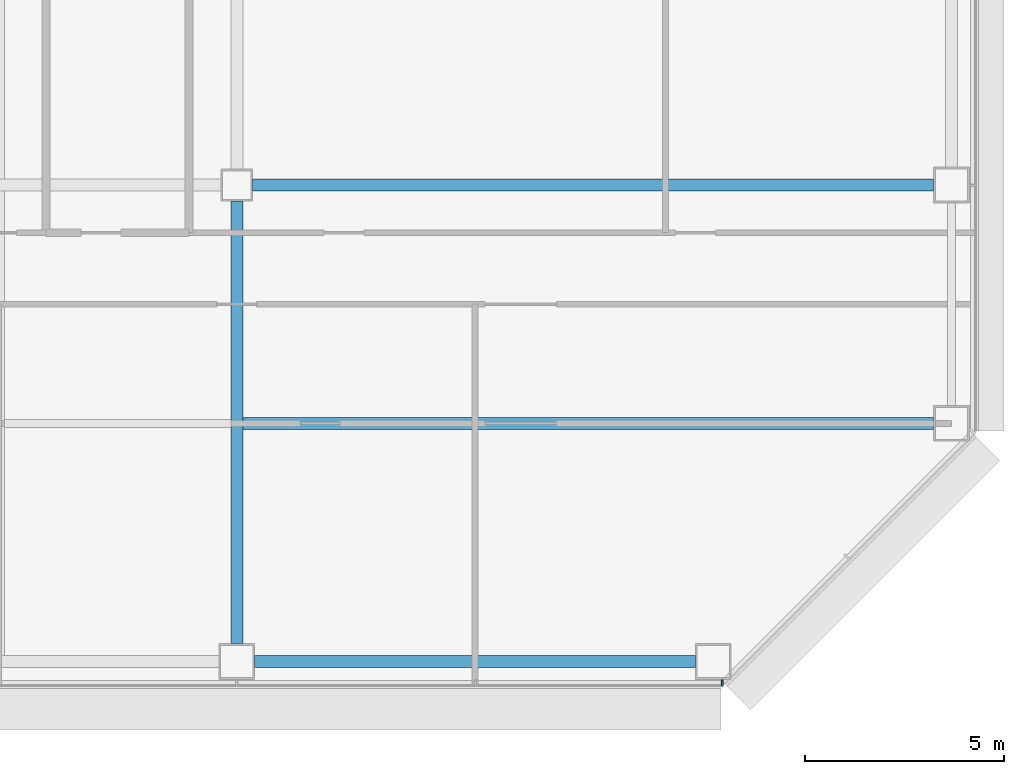
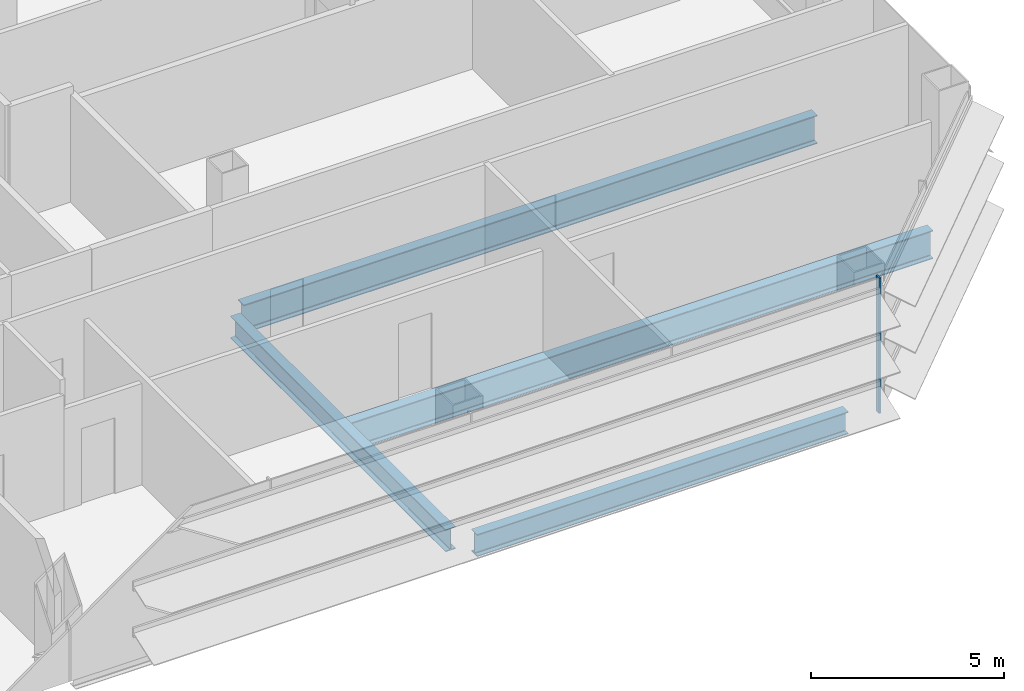
# One storey, part 9 of 27: 4 beams, 1 member, 1 element without a shape of its own.
"""IFC4 building model written with IfcOpenShell, lengths in metres."""

from ifc_helpers import new_model, si_unit, direction, frame, origin, origin_2d, place, context, subcontext, project, spatial, rectangle, i_section, extrude, material, material_profile, profile_set, type_object, element, aggregate, save


model = new_model("IFC4")

# Units and contexts
model_context = context("Model", 3, precision=1e-05, world=origin(), true_north=direction((0.0, 1.0)))
body_context = subcontext(model_context, "Body", "Model", "MODEL_VIEW")
ifc_project = project(units=[si_unit("LENGTHUNIT", "METRE"), si_unit("AREAUNIT", "SQUARE_METRE"), si_unit("VOLUMEUNIT", "CUBIC_METRE"), si_unit("PLANEANGLEUNIT", "RADIAN"), si_unit("MASSUNIT", "GRAM", prefix="KILO")], contexts=[model_context])

# Site, building, storey
site_placement = place(None, origin())
site = spatial("IfcSite", under=ifc_project, at=site_placement, CompositionType="ELEMENT")
building_placement = place(site_placement, origin())
building = spatial("IfcBuilding", under=site, at=building_placement, Name="Sorahane Residences", CompositionType="ELEMENT")
storey_placement = place(building_placement, frame((0.0, 0.0, 85.800048828125)))
storey = spatial("IfcBuildingStorey", under=building, at=storey_placement, Name="L18", CompositionType="ELEMENT", Elevation=85.800048828125)

# Curtain wall, member
ifc_material_1 = material(Name="Dark low-e glass and black anodised aluminium", Category="aluminium")
curtain_wall_type = type_object("IfcCurtainWallType", Name="Curtain wall CW-1 Typical unitised wall", PredefinedType="NOTDEFINED", material=ifc_material_1)
curtain_wall_placement = place(storey_placement, origin())
curtain_wall = element("IfcCurtainWall", 1, at=curtain_wall_placement, inside=storey, type_object=curtain_wall_type, Name="CW-1 curtain wall L18 S1", PredefinedType="NOTDEFINED")
ifc_material_2 = material(Name="Black anodised aluminium", Category="aluminium")
ifc_material_profile_1 = material_profile(ifc_material_2, rectangle(XDim=0.159912109375, YDim=0.050048828125, at=origin_2d()), Name="Curtain wall mullion CW-1 black anodised aluminium 50x160")
ifc_profile_set_1 = profile_set([ifc_material_profile_1], Name="Black anodised aluminium")
member_type = type_object("IfcMemberType", Name="Curtain wall mullion CW-1 black anodised aluminium 50x160", PredefinedType="MULLION", material=ifc_profile_set_1)
member_placement = place(storey_placement, frame((60.2236328125, -0.5400390625, -0.179931640625), z_axis=(0.0, 0.0, 1.0), x_axis=(0.0, -1.0, 0.0)))
member = element("IfcMember", 2, at=member_placement, type_object=member_type, Name="CW-1 mullion L18 S1.10", PredefinedType="MULLION", context=body_context, shape_type="SweptSolid", body=[
    extrude(rectangle(XDim=0.159912109375, YDim=0.050048828125, at=origin_2d()), origin(), (0.0, 0.0, 1.0), 4.27978515625),
])
aggregate(curtain_wall, [member])

# Beams
ifc_material_3 = material(Name="Steel Q355B", Category="steel")
ifc_material_profile_2 = material_profile(ifc_material_3, i_section(OverallWidth=0.300048828125, OverallDepth=0.699951171875, WebThickness=0.012939453125, FlangeThickness=0.02392578125, FilletRadius=0.028076171875, at=origin_2d()), Name="HN 700x300x13x24")
ifc_profile_set_2 = profile_set([ifc_material_profile_2], Name="Steel Q355B")
beam_type_1 = type_object("IfcBeamType", Name="Steel floor beam HN 700x300x13x24 Q355B", PredefinedType="BEAM", material=ifc_profile_set_2)
beam_1_placement = place(storey_placement, frame((48.449951171875, 0.0, -0.530029296875), z_axis=(1.0, 0.0, 0.0), x_axis=(0.0, 1.0, 0.0)))
element("IfcBeam", 3, at=beam_1_placement, inside=storey, type_object=beam_type_1, Name="Beam L18 004", PredefinedType="BEAM", context=body_context, shape_type="SweptSolid", body=[
    extrude(i_section(OverallWidth=0.300048828125, OverallDepth=0.699951171875, WebThickness=0.012939453125, FlangeThickness=0.02392578125, FilletRadius=0.028076171875, at=origin_2d()), origin(), (0.0, 0.0, 1.0), 11.10009765625),
])
beam_2_placement = place(storey_placement, frame((48.0, 0.449951171875, -0.530029296875), z_axis=(0.0, 1.0, 0.0), x_axis=(-1.0, 0.0, 0.0)))
element("IfcBeam", 4, at=beam_2_placement, inside=storey, type_object=beam_type_1, Name="Beam L18 051", PredefinedType="BEAM", context=body_context, shape_type="SweptSolid", body=[
    extrude(i_section(OverallWidth=0.300048828125, OverallDepth=0.699951171875, WebThickness=0.012939453125, FlangeThickness=0.02392578125, FilletRadius=0.028076171875, at=origin_2d()), origin(), (0.0, 0.0, 1.0), 11.150146484375),
])
ifc_material_4 = material(Name="Steel Q355B", Category="steel")
ifc_material_profile_3 = material_profile(ifc_material_4, i_section(OverallWidth=0.300048828125, OverallDepth=0.89990234375, WebThickness=0.01611328125, FlangeThickness=0.028076171875, FilletRadius=0.028076171875, at=origin_2d()), Name="HN 900x300x16x28")
ifc_profile_set_3 = profile_set([ifc_material_profile_3], Name="Steel Q355B")
beam_type_2 = type_object("IfcBeamType", Name="Steel floor beam HN 900x300x16x28 Q355B", PredefinedType="BEAM", material=ifc_profile_set_3)
beam_3_placement = place(storey_placement, frame((48.39990234375, 12.0, -0.630126953125), z_axis=(1.0, 0.0, 0.0), x_axis=(0.0, 1.0, 0.0)))
element("IfcBeam", 5, at=beam_3_placement, inside=storey, type_object=beam_type_2, Name="Beam L18 009", PredefinedType="BEAM", context=body_context, shape_type="SweptSolid", body=[
    extrude(i_section(OverallWidth=0.300048828125, OverallDepth=0.89990234375, WebThickness=0.01611328125, FlangeThickness=0.028076171875, FilletRadius=0.028076171875, at=origin_2d()), origin(), (0.0, 0.0, 1.0), 17.150146484375),
])
beam_4_placement = place(storey_placement, frame((48.14990234375, 6.0, -0.630126953125), z_axis=(1.0, 0.0, 0.0), x_axis=(0.0, 1.0, 0.0)))
element("IfcBeam", 6, at=beam_4_placement, inside=storey, type_object=beam_type_2, Name="Beam L18 069", PredefinedType="BEAM", context=body_context, shape_type="SweptSolid", body=[
    extrude(i_section(OverallWidth=0.300048828125, OverallDepth=0.89990234375, WebThickness=0.01611328125, FlangeThickness=0.028076171875, FilletRadius=0.028076171875, at=origin_2d()), origin(), (0.0, 0.0, 1.0), 17.400146484375),
])

save(model, "model.ifc")
